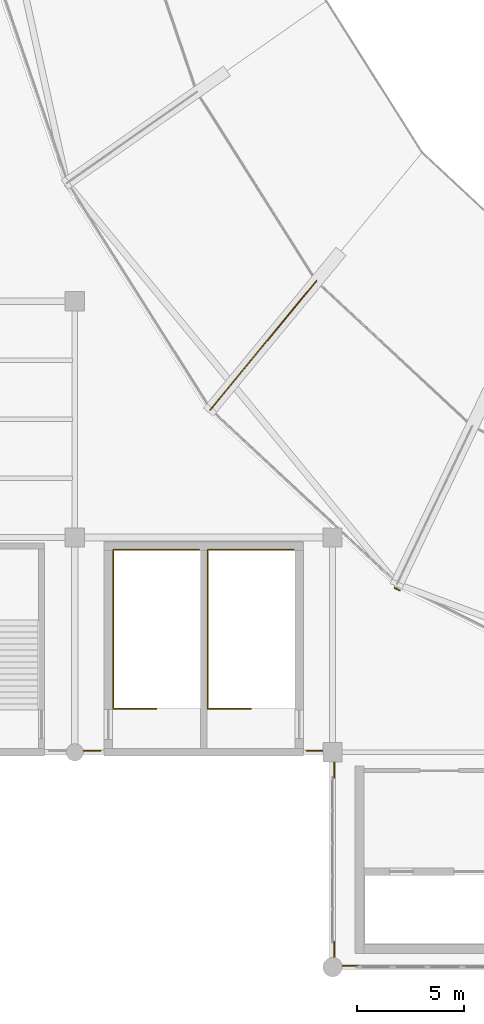
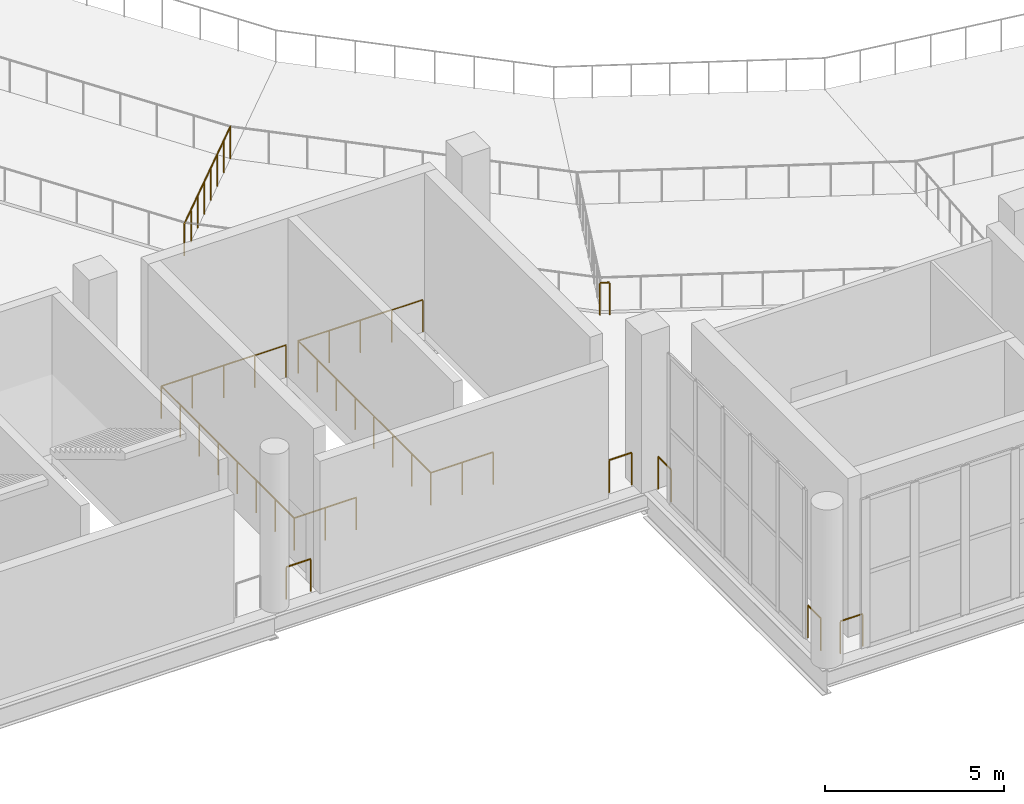
# One storey, part 63 of 74: 9 railings.
"""IFC4 building model written with IfcOpenShell, lengths in metres."""

from ifc_helpers import new_model, si_unit, direction, frame, origin, origin_2d, place, context, subcontext, project, spatial, circle, extrude, material, type_object, element, save


model = new_model("IFC4")

# Units and contexts
model_context = context("Model", 3, precision=1e-05, world=origin(), true_north=direction((0.0, 1.0)))
body_context = subcontext(model_context, "Body", "Model", "MODEL_VIEW")
ifc_project = project(units=[si_unit("LENGTHUNIT", "METRE"), si_unit("AREAUNIT", "SQUARE_METRE"), si_unit("VOLUMEUNIT", "CUBIC_METRE"), si_unit("PLANEANGLEUNIT", "RADIAN"), si_unit("MASSUNIT", "GRAM", prefix="KILO")], contexts=[model_context])

# Site, building, storey
site_placement = place(None, origin())
site = spatial("IfcSite", under=ifc_project, at=site_placement, CompositionType="ELEMENT")
building_placement = place(site_placement, origin())
building = spatial("IfcBuilding", under=site, at=building_placement, Name="Brinegate Civic Arena", CompositionType="ELEMENT")
storey_placement = place(building_placement, frame((0.0, 0.0, 19.199951171875)))
storey = spatial("IfcBuildingStorey", under=building, at=storey_placement, Name="L04", CompositionType="ELEMENT", Elevation=19.199951171875)

# Railings
ifc_material = material(Name="Architectural stainless steel balustrade", Category="steel")
railing_type_1 = type_object("IfcRailingType", Name="RAIL-BOWL-BARRIER-1100", PredefinedType="GUARDRAIL", material=ifc_material)
railing_1_placement = place(storey_placement, frame((83.2509765625, 31.947998046875, -2.074951171875)))
element("IfcRailing", 1, at=railing_1_placement, inside=storey, type_object=railing_type_1, Name="Upper Bowl Radial Aisle Guard RAD-16", PredefinedType="GUARDRAIL", context=body_context, shape_type="SweptSolid", body=[
    extrude(circle(Radius=0.02392578125, at=origin_2d()), frame((-0.0009765625, -0.001220703125, 1.096435546875), z_axis=(-0.614232363267, -0.745920679125, 0.257528531173), x_axis=(0.771958296095, -0.635673177891, 0.0)), (0.0, 0.0, 1.0), 8.05419921875),
    extrude(circle(Radius=0.02099609375, at=origin_2d()), origin(), (0.0, 0.0, 1.0), 1.070068359375),
    extrude(circle(Radius=0.02099609375, at=origin_2d()), frame((-0.70703125, -0.858642578125, 0.29638671875)), (0.0, 0.0, 1.0), 1.070068359375),
    extrude(circle(Radius=0.02099609375, at=origin_2d()), frame((-1.4140625, -1.717041015625, 0.5927734375)), (0.0, 0.0, 1.0), 1.070068359375),
    extrude(circle(Radius=0.02099609375, at=origin_2d()), frame((-2.12109375, -2.57568359375, 0.88916015625)), (0.0, 0.0, 1.0), 1.070068359375),
    extrude(circle(Radius=0.02099609375, at=origin_2d()), frame((-2.827880859375, -3.434326171875, 1.185791015625)), (0.0, 0.0, 1.0), 1.070068359375),
    extrude(circle(Radius=0.02099609375, at=origin_2d()), frame((-3.534912109375, -4.29296875, 1.482177734375)), (0.0, 0.0, 1.0), 1.070068359375),
    extrude(circle(Radius=0.02099609375, at=origin_2d()), frame((-4.241943359375, -5.1513671875, 1.778564453125)), (0.0, 0.0, 1.0), 1.070068359375),
    extrude(circle(Radius=0.02099609375, at=origin_2d()), frame((-4.948974609375, -6.010009765625, 2.074951171875)), (0.0, 0.0, 1.0), 1.070068359375),
])
railing_type_2 = type_object("IfcRailingType", Name="RAIL-STAIR-GUARD-1100", PredefinedType="GUARDRAIL", material=ifc_material)
railing_2_placement = place(storey_placement, frame((75.800048828125, 12.02001953125, 0.0)))
element("IfcRailing", 2, at=railing_2_placement, inside=storey, type_object=railing_type_2, Name="Top Stairwell Edge Guard ST-12A L04", PredefinedType="GUARDRAIL", context=body_context, shape_type="SweptSolid", body=[
    extrude(circle(Radius=0.02392578125, at=origin_2d()), frame((-0.00146484375, 0.0, 1.09619140625), z_axis=(-1.0, 0.0, 0.0), x_axis=(0.0, -1.0, 0.0)), (0.0, 0.0, 1.0), 2.002197265625),
    extrude(circle(Radius=0.02392578125, at=origin_2d()), frame((-2.005126953125, 0.00146484375, 1.09619140625), z_axis=(0.0, 1.0, 0.0), x_axis=(-1.0, 0.0, 0.0)), (0.0, 0.0, 1.0), 7.39697265625),
    extrude(circle(Radius=0.02392578125, at=origin_2d()), frame((-2.003662109375, 7.39990234375, 1.09619140625), z_axis=(1.0, 0.0, 0.0), x_axis=(0.0, 1.0, 0.0)), (0.0, 0.0, 1.0), 4.007080078125),
    extrude(circle(Radius=0.02099609375, at=origin_2d()), origin(), (0.0, 0.0, 1.0), 1.070068359375),
    extrude(circle(Radius=0.02099609375, at=origin_2d()), frame((-1.00244140625, 0.0, 0.0)), (0.0, 0.0, 1.0), 1.070068359375),
    extrude(circle(Radius=0.02099609375, at=origin_2d()), frame((-2.005126953125, 0.0, 0.0)), (0.0, 0.0, 1.0), 1.070068359375),
    extrude(circle(Radius=0.02099609375, at=origin_2d()), frame((-2.005126953125, 1.05712890625, 0.0)), (0.0, 0.0, 1.0), 1.070068359375),
    extrude(circle(Radius=0.02099609375, at=origin_2d()), frame((-2.005126953125, 2.1142578125, 0.0)), (0.0, 0.0, 1.0), 1.070068359375),
    extrude(circle(Radius=0.02099609375, at=origin_2d()), frame((-2.005126953125, 3.17138671875, 0.0)), (0.0, 0.0, 1.0), 1.070068359375),
    extrude(circle(Radius=0.02099609375, at=origin_2d()), frame((-2.005126953125, 4.228515625, 0.0)), (0.0, 0.0, 1.0), 1.070068359375),
    extrude(circle(Radius=0.02099609375, at=origin_2d()), frame((-2.005126953125, 5.28564453125, 0.0)), (0.0, 0.0, 1.0), 1.070068359375),
    extrude(circle(Radius=0.02099609375, at=origin_2d()), frame((-2.005126953125, 6.3427734375, 0.0)), (0.0, 0.0, 1.0), 1.070068359375),
    extrude(circle(Radius=0.02099609375, at=origin_2d()), frame((-2.005126953125, 7.39990234375, 0.0)), (0.0, 0.0, 1.0), 1.070068359375),
    extrude(circle(Radius=0.02099609375, at=origin_2d()), frame((-1.002685546875, 7.39990234375, 0.0)), (0.0, 0.0, 1.0), 1.070068359375),
    extrude(circle(Radius=0.02099609375, at=origin_2d()), frame((0.0, 7.39990234375, 0.0)), (0.0, 0.0, 1.0), 1.070068359375),
    extrude(circle(Radius=0.02099609375, at=origin_2d()), frame((1.00244140625, 7.39990234375, 0.0)), (0.0, 0.0, 1.0), 1.070068359375),
    extrude(circle(Radius=0.02099609375, at=origin_2d()), frame((2.0048828125, 7.39990234375, 0.0)), (0.0, 0.0, 1.0), 1.070068359375),
])
railing_3_placement = place(storey_placement, frame((80.199951171875, 12.02001953125, 0.0)))
element("IfcRailing", 3, at=railing_3_placement, inside=storey, type_object=railing_type_2, Name="Top Stairwell Edge Guard ST-12B L04", PredefinedType="GUARDRAIL", context=body_context, shape_type="SweptSolid", body=[
    extrude(circle(Radius=0.02392578125, at=origin_2d()), frame((-0.00146484375, 0.0, 1.09619140625), z_axis=(-1.0, 0.0, 0.0), x_axis=(0.0, -1.0, 0.0)), (0.0, 0.0, 1.0), 2.001953125),
    extrude(circle(Radius=0.02392578125, at=origin_2d()), frame((-2.0048828125, 0.00146484375, 1.09619140625), z_axis=(0.0, 1.0, 0.0), x_axis=(-1.0, 0.0, 0.0)), (0.0, 0.0, 1.0), 7.39697265625),
    extrude(circle(Radius=0.02392578125, at=origin_2d()), frame((-2.00341796875, 7.39990234375, 1.09619140625), z_axis=(1.0, 0.0, 0.0), x_axis=(0.0, 1.0, 0.0)), (0.0, 0.0, 1.0), 4.007080078125),
    extrude(circle(Radius=0.02099609375, at=origin_2d()), origin(), (0.0, 0.0, 1.0), 1.070068359375),
    extrude(circle(Radius=0.02099609375, at=origin_2d()), frame((-1.00244140625, 0.0, 0.0)), (0.0, 0.0, 1.0), 1.070068359375),
    extrude(circle(Radius=0.02099609375, at=origin_2d()), frame((-2.0048828125, 0.0, 0.0)), (0.0, 0.0, 1.0), 1.070068359375),
    extrude(circle(Radius=0.02099609375, at=origin_2d()), frame((-2.0048828125, 1.05712890625, 0.0)), (0.0, 0.0, 1.0), 1.070068359375),
    extrude(circle(Radius=0.02099609375, at=origin_2d()), frame((-2.0048828125, 2.1142578125, 0.0)), (0.0, 0.0, 1.0), 1.070068359375),
    extrude(circle(Radius=0.02099609375, at=origin_2d()), frame((-2.0048828125, 3.17138671875, 0.0)), (0.0, 0.0, 1.0), 1.070068359375),
    extrude(circle(Radius=0.02099609375, at=origin_2d()), frame((-2.0048828125, 4.228515625, 0.0)), (0.0, 0.0, 1.0), 1.070068359375),
    extrude(circle(Radius=0.02099609375, at=origin_2d()), frame((-2.0048828125, 5.28564453125, 0.0)), (0.0, 0.0, 1.0), 1.070068359375),
    extrude(circle(Radius=0.02099609375, at=origin_2d()), frame((-2.0048828125, 6.3427734375, 0.0)), (0.0, 0.0, 1.0), 1.070068359375),
    extrude(circle(Radius=0.02099609375, at=origin_2d()), frame((-2.0048828125, 7.39990234375, 0.0)), (0.0, 0.0, 1.0), 1.070068359375),
    extrude(circle(Radius=0.02099609375, at=origin_2d()), frame((-1.00244140625, 7.39990234375, 0.0)), (0.0, 0.0, 1.0), 1.070068359375),
    extrude(circle(Radius=0.02099609375, at=origin_2d()), frame((0.0, 7.39990234375, 0.0)), (0.0, 0.0, 1.0), 1.070068359375),
    extrude(circle(Radius=0.02099609375, at=origin_2d()), frame((1.002685546875, 7.39990234375, 0.0)), (0.0, 0.0, 1.0), 1.070068359375),
    extrude(circle(Radius=0.02099609375, at=origin_2d()), frame((2.005126953125, 7.39990234375, 0.0)), (0.0, 0.0, 1.0), 1.070068359375),
])
railing_type_3 = type_object("IfcRailingType", Name="RAIL-VOID-BALUSTRADE-1120", PredefinedType="BALUSTRADE", material=ifc_material)
railing_4_placement = place(storey_placement, frame((85.18603515625, 0.070068359375, 0.0)))
element("IfcRailing", 4, at=railing_4_placement, inside=storey, type_object=railing_type_3, Name="Deck Edge Balustrade L04-374", PredefinedType="BALUSTRADE", context=body_context, shape_type="SweptSolid", body=[
    extrude(circle(Radius=0.02392578125, at=origin_2d()), frame((-0.00146484375, 0.0, 1.09619140625), z_axis=(-1.0, 0.0, 0.0), x_axis=(0.0, -1.0, 0.0)), (0.0, 0.0, 1.0), 0.713134765625),
    extrude(circle(Radius=0.02099609375, at=origin_2d()), origin(), (0.0, 0.0, 1.0), 1.070068359375),
    extrude(circle(Radius=0.02099609375, at=origin_2d()), frame((-0.716064453125, 0.0, 0.0)), (0.0, 0.0, 1.0), 1.070068359375),
])
for number, where, name in (
    (5, (84.070068359375, 0.469970703125, 0.0), "Deck Edge Balustrade L04-375"),
    (6, (84.070068359375, 8.81396484375, 0.0), "Deck Edge Balustrade L04-376"),
):
    element("IfcRailing", number, at=place(storey_placement, frame(where)), inside=storey, type_object=railing_type_3, Name=name, PredefinedType="BALUSTRADE", context=body_context, shape_type="SweptSolid", body=[
        extrude(circle(Radius=0.02392578125, at=origin_2d()), frame((0.0, 0.00146484375, 1.09619140625), z_axis=(0.0, 1.0, 0.0), x_axis=(-1.0, 0.0, 0.0)), (0.0, 0.0, 1.0), 0.713134765625),
        extrude(circle(Radius=0.02099609375, at=origin_2d()), origin(), (0.0, 0.0, 1.0), 1.070068359375),
        extrude(circle(Radius=0.02099609375, at=origin_2d()), frame((0.0, 0.716064453125, 0.0)), (0.0, 0.0, 1.0), 1.070068359375),
    ])
railing_5_placement = place(storey_placement, frame((83.530029296875, 10.070068359375, 0.0)))
element("IfcRailing", 7, at=railing_5_placement, inside=storey, type_object=railing_type_3, Name="Deck Edge Balustrade L04-377", PredefinedType="BALUSTRADE", context=body_context, shape_type="SweptSolid", body=[
    extrude(circle(Radius=0.02392578125, at=origin_2d()), frame((-0.00146484375, 0.0, 1.09619140625), z_axis=(-1.0, 0.0, 0.0), x_axis=(0.0, -1.0, 0.0)), (0.0, 0.0, 1.0), 0.72705078125),
    extrude(circle(Radius=0.02099609375, at=origin_2d()), origin(), (0.0, 0.0, 1.0), 1.070068359375),
    extrude(circle(Radius=0.02099609375, at=origin_2d()), frame((-0.72998046875, 0.0, 0.0)), (0.0, 0.0, 1.0), 1.070068359375),
])
railing_6_placement = place(storey_placement, frame((73.199951171875, 10.070068359375, 0.0)))
element("IfcRailing", 8, at=railing_6_placement, inside=storey, type_object=railing_type_3, Name="Deck Edge Balustrade L04-378", PredefinedType="BALUSTRADE", context=body_context, shape_type="SweptSolid", body=[
    extrude(circle(Radius=0.02392578125, at=origin_2d()), frame((-0.00146484375, 0.0, 1.09619140625), z_axis=(-1.0, 0.0, 0.0), x_axis=(0.0, -1.0, 0.0)), (0.0, 0.0, 1.0), 0.777099609375),
    extrude(circle(Radius=0.02099609375, at=origin_2d()), origin(), (0.0, 0.0, 1.0), 1.070068359375),
    extrude(circle(Radius=0.02099609375, at=origin_2d()), frame((-0.780029296875, 0.0, 0.0)), (0.0, 0.0, 1.0), 1.070068359375),
])
railing_7_placement = place(storey_placement, frame((86.887939453125, 17.655029296875, 0.0)))
element("IfcRailing", 9, at=railing_7_placement, inside=storey, type_object=railing_type_3, Name="Deck Edge Balustrade L04-392", PredefinedType="BALUSTRADE", context=body_context, shape_type="SweptSolid", body=[
    extrude(circle(Radius=0.02392578125, at=origin_2d()), frame((0.001220703125, -0.000732421875, 1.09619140625), z_axis=(0.891297475213, -0.453419023288, 0.0), x_axis=(0.453419023288, 0.891297475213, 0.0)), (0.0, 0.0, 1.0), 0.26416015625),
    extrude(circle(Radius=0.02099609375, at=origin_2d()), origin(), (0.0, 0.0, 1.0), 1.070068359375),
    extrude(circle(Radius=0.02099609375, at=origin_2d()), frame((0.238037109375, -0.12109375, 0.0)), (0.0, 0.0, 1.0), 1.070068359375),
])

save(model, "model.ifc")
